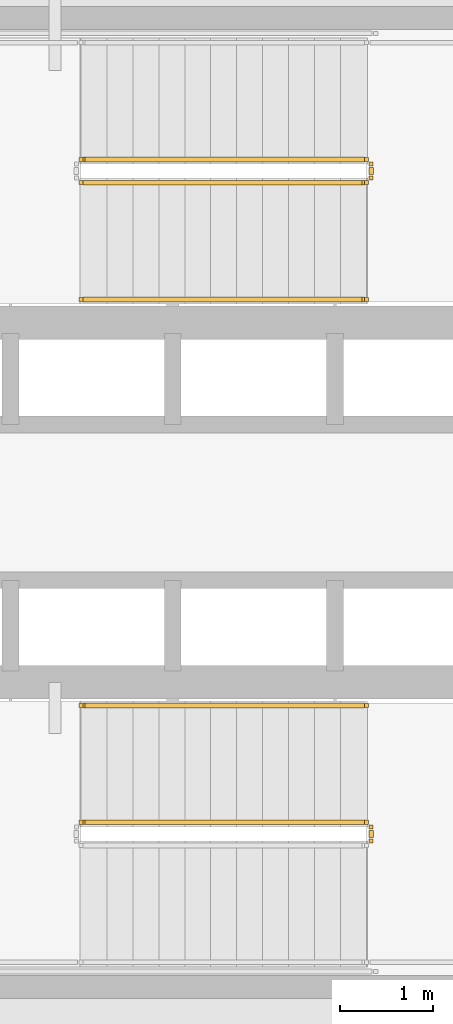
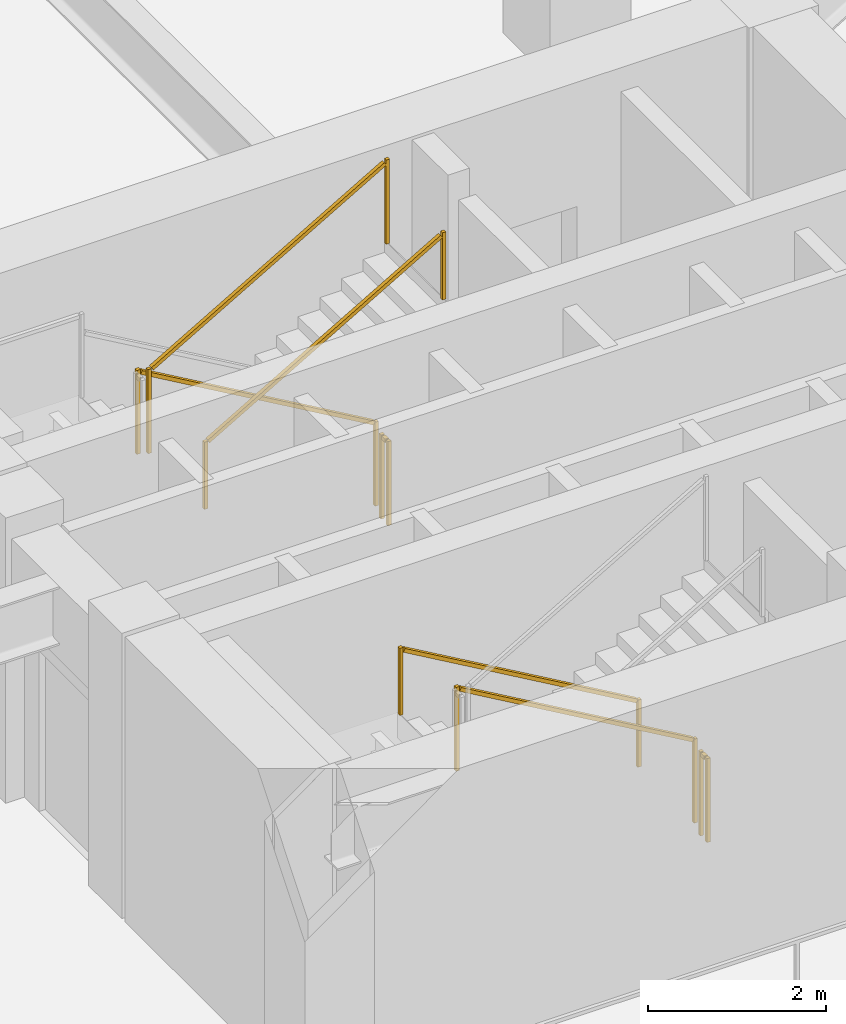
# One storey, part 11 of 16: 7 railings.
"""IFC4 building model written with IfcOpenShell, lengths in metres."""

from ifc_helpers import new_model, si_unit, direction, frame, origin, origin_2d, place, context, subcontext, project, spatial, rectangle, extrude, material, type_object, element, save


model = new_model("IFC4")

# Units and contexts
model_context = context("Model", 3, precision=1e-05, world=origin(), true_north=direction((0.0, 1.0)))
body_context = subcontext(model_context, "Body", "Model", "MODEL_VIEW")
ifc_project = project(units=[si_unit("LENGTHUNIT", "METRE"), si_unit("AREAUNIT", "SQUARE_METRE"), si_unit("VOLUMEUNIT", "CUBIC_METRE"), si_unit("PLANEANGLEUNIT", "RADIAN"), si_unit("MASSUNIT", "GRAM", prefix="KILO")], contexts=[model_context])

# Site, building, storey
site_placement = place(None, origin())
site = spatial("IfcSite", under=ifc_project, at=site_placement, CompositionType="ELEMENT")
building_placement = place(site_placement, origin())
building = spatial("IfcBuilding", under=site, at=building_placement, Name="Yunling Apex Tower", CompositionType="ELEMENT")
storey_placement = place(building_placement, frame((0.0, 0.0, 4.5)))
storey = spatial("IfcBuildingStorey", under=building, at=storey_placement, Name="L02", CompositionType="ELEMENT", Elevation=4.5)

# Railings
ifc_material_1 = material(Name="Steel Q355B", Category="steel")
railing_type_1 = type_object("IfcRailingType", Name="RL-GRD-1150", PredefinedType="GUARDRAIL", material=ifc_material_1)
railing_1_placement = place(storey_placement, frame((-0.010009765625, 3.699951171875, 0.16259765625)))
element("IfcRailing", 1, at=railing_1_placement, inside=storey, type_object=railing_type_1, Name="L02 ST-1 stair guard 1", PredefinedType="GUARDRAIL", context=body_context, shape_type="SweptSolid", body=[
    extrude(rectangle(XDim=0.0439453125, YDim=0.0439453125, at=origin_2d()), origin(), (0.0, 0.0, 1.0), 1.14990234375),
    extrude(rectangle(XDim=0.0439453125, YDim=0.0439453125, at=origin_2d()), frame((-3.080078125, 0.0, 1.787353515625)), (0.0, 0.0, 1.0), 1.14990234375),
    extrude(rectangle(XDim=0.050048828125, YDim=0.050048828125, at=origin_2d()), frame((-0.033203125, 0.0, 1.14404296875), z_axis=(-0.864920483161, 0.0, 0.501908913857), x_axis=(0.0, -1.0, 0.0)), (0.0, 0.0, 1.0), 3.484375),
])
railing_2_placement = place(storey_placement, frame((-3.090087890625, 3.449951171875, 2.112548828125)))
element("IfcRailing", 2, at=railing_2_placement, inside=storey, type_object=railing_type_1, Name="L02 ST-1 stair guard 4", PredefinedType="GUARDRAIL", context=body_context, shape_type="SweptSolid", body=[
    extrude(rectangle(XDim=0.0439453125, YDim=0.0439453125, at=origin_2d()), origin(), (0.0, 0.0, 1.0), 1.14990234375),
    extrude(rectangle(XDim=0.0439453125, YDim=0.0439453125, at=origin_2d()), frame((3.080078125, 0.0, 1.787353515625)), (0.0, 0.0, 1.0), 1.14990234375),
    extrude(rectangle(XDim=0.050048828125, YDim=0.050048828125, at=origin_2d()), frame((0.033203125, 0.0, 1.14404296875), z_axis=(0.864920483161, 0.0, 0.501908913857), x_axis=(0.0, 1.0, 0.0)), (0.0, 0.0, 1.0), 3.484375),
])
railing_3_placement = place(storey_placement, frame((0.0400390625, 3.64990234375, 0.0)))
element("IfcRailing", 3, at=railing_3_placement, inside=storey, type_object=railing_type_1, Name="L02 ST-1 stair guard 5", PredefinedType="GUARDRAIL", context=body_context, shape_type="SweptSolid", body=[
    extrude(rectangle(XDim=0.0439453125, YDim=0.0439453125, at=origin_2d()), origin(), (0.0, 0.0, 1.0), 1.14990234375),
    extrude(rectangle(XDim=0.0439453125, YDim=0.0439453125, at=origin_2d()), frame((0.0, -0.14990234375, 0.0)), (0.0, 0.0, 1.0), 1.14990234375),
    extrude(rectangle(XDim=0.050048828125, YDim=0.050048828125, at=origin_2d()), frame((0.0, -0.038330078125, 1.125), z_axis=(0.0, -1.0, 0.0), x_axis=(1.0, 0.0, 0.0)), (0.0, 0.0, 1.0), 0.0732421875),
])
railing_4_placement = place(storey_placement, frame((-0.010009765625, -3.449951171875, 0.16259765625)))
element("IfcRailing", 4, at=railing_4_placement, inside=storey, type_object=railing_type_1, Name="L02 ST-2 stair guard 1", PredefinedType="GUARDRAIL", context=body_context, shape_type="SweptSolid", body=[
    extrude(rectangle(XDim=0.0439453125, YDim=0.0439453125, at=origin_2d()), origin(), (0.0, 0.0, 1.0), 1.14990234375),
    extrude(rectangle(XDim=0.0439453125, YDim=0.0439453125, at=origin_2d()), frame((-3.080078125, 0.0, 1.787353515625)), (0.0, 0.0, 1.0), 1.14990234375),
    extrude(rectangle(XDim=0.050048828125, YDim=0.050048828125, at=origin_2d()), frame((-0.033203125, 0.0, 1.14404296875), z_axis=(-0.864920483161, 0.0, 0.501908913857), x_axis=(0.0, -1.0, 0.0)), (0.0, 0.0, 1.0), 3.484375),
])
railing_5_placement = place(storey_placement, frame((0.0400390625, -3.5, 0.0)))
element("IfcRailing", 5, at=railing_5_placement, inside=storey, type_object=railing_type_1, Name="L02 ST-2 stair guard 5", PredefinedType="GUARDRAIL", context=body_context, shape_type="SweptSolid", body=[
    extrude(rectangle(XDim=0.0439453125, YDim=0.0439453125, at=origin_2d()), origin(), (0.0, 0.0, 1.0), 1.14990234375),
    extrude(rectangle(XDim=0.0439453125, YDim=0.0439453125, at=origin_2d()), frame((0.0, -0.14990234375, 0.0)), (0.0, 0.0, 1.0), 1.14990234375),
    extrude(rectangle(XDim=0.050048828125, YDim=0.050048828125, at=origin_2d()), frame((0.0, -0.038330078125, 1.125), z_axis=(0.0, -1.0, 0.0), x_axis=(1.0, 0.0, 0.0)), (0.0, 0.0, 1.0), 0.0732421875),
])
ifc_material_2 = material(Name="Silver anodised aluminium", Category="aluminium")
railing_type_2 = type_object("IfcRailingType", Name="RL-HND-900", PredefinedType="HANDRAIL", material=ifc_material_2)
railing_6_placement = place(storey_placement, frame((-3.090087890625, 2.18994140625, 2.112548828125)))
element("IfcRailing", 6, at=railing_6_placement, inside=storey, type_object=railing_type_2, Name="L02 ST-1 stair handrail 2", PredefinedType="HANDRAIL", context=body_context, shape_type="SweptSolid", body=[
    extrude(rectangle(XDim=0.0439453125, YDim=0.0439453125, at=origin_2d()), origin(), (0.0, 0.0, 1.0), 0.919921875),
    extrude(rectangle(XDim=0.0439453125, YDim=0.0439453125, at=origin_2d()), frame((3.080078125, 0.0, 1.787353515625)), (0.0, 0.0, 1.0), 0.919921875),
    extrude(rectangle(XDim=0.050048828125, YDim=0.050048828125, at=origin_2d()), frame((0.033203125, 0.0, 0.9140625), z_axis=(0.864920483161, 0.0, 0.501908913857), x_axis=(0.0, 1.0, 0.0)), (0.0, 0.0, 1.0), 3.484375),
])
railing_7_placement = place(storey_placement, frame((-0.010009765625, -2.18994140625, 0.16259765625)))
element("IfcRailing", 7, at=railing_7_placement, inside=storey, type_object=railing_type_2, Name="L02 ST-2 stair handrail 1", PredefinedType="HANDRAIL", context=body_context, shape_type="SweptSolid", body=[
    extrude(rectangle(XDim=0.0439453125, YDim=0.0439453125, at=origin_2d()), origin(), (0.0, 0.0, 1.0), 0.919921875),
    extrude(rectangle(XDim=0.0439453125, YDim=0.0439453125, at=origin_2d()), frame((-3.080078125, 0.0, 1.787353515625)), (0.0, 0.0, 1.0), 0.919921875),
    extrude(rectangle(XDim=0.050048828125, YDim=0.050048828125, at=origin_2d()), frame((-0.033203125, 0.0, 0.9140625), z_axis=(-0.864920483161, 0.0, 0.501908913857), x_axis=(0.0, -1.0, 0.0)), (0.0, 0.0, 1.0), 3.484375),
])

save(model, "model.ifc")
